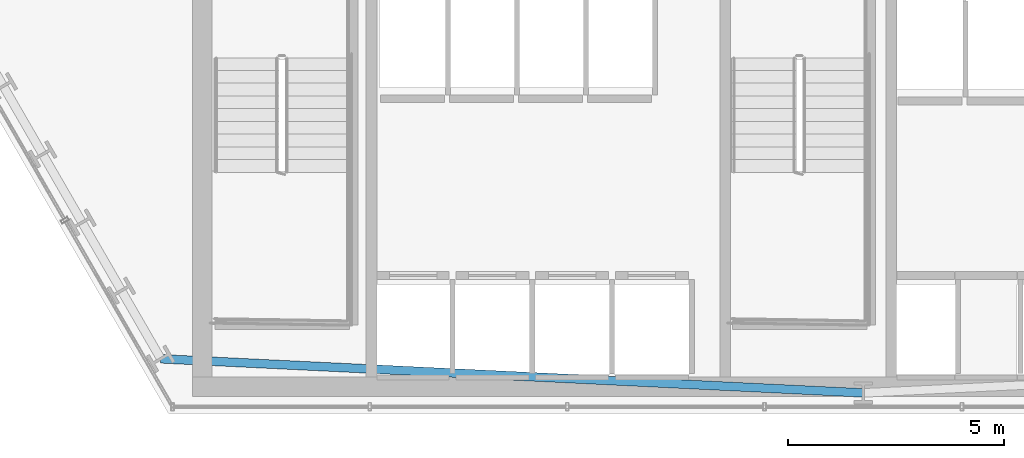
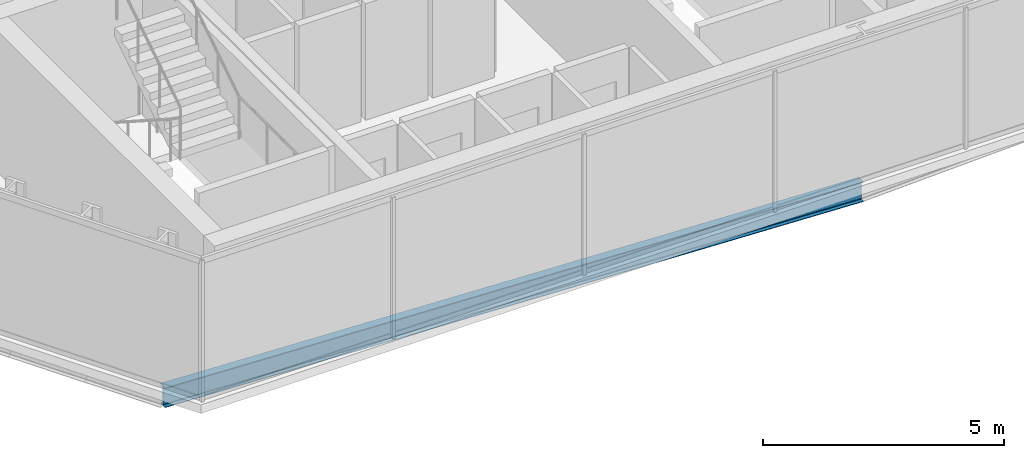
# One storey, part 4 of 32: 1 beam.
"""IFC4 building model written with IfcOpenShell, lengths in metres."""

from ifc_helpers import new_model, si_unit, direction, frame, origin, origin_2d, place, context, subcontext, project, spatial, i_section, extrude, material, material_profile, profile_set, type_object, element, save


model = new_model("IFC4")

# Units and contexts
model_context = context("Model", 3, precision=1e-05, world=origin(), true_north=direction((0.0, 1.0)))
body_context = subcontext(model_context, "Body", "Model", "MODEL_VIEW")
ifc_project = project(units=[si_unit("LENGTHUNIT", "METRE"), si_unit("AREAUNIT", "SQUARE_METRE"), si_unit("VOLUMEUNIT", "CUBIC_METRE"), si_unit("PLANEANGLEUNIT", "RADIAN"), si_unit("MASSUNIT", "GRAM", prefix="KILO")], contexts=[model_context])

# Site, building, storey
site_placement = place(None, origin())
site = spatial("IfcSite", under=ifc_project, at=site_placement, CompositionType="ELEMENT")
building_placement = place(site_placement, origin())
building = spatial("IfcBuilding", under=site, at=building_placement, Name="Ndaravel Arena Tower", CompositionType="ELEMENT")
storey_placement = place(building_placement, frame((0.0, 0.0, 70.199951171875)))
storey = spatial("IfcBuildingStorey", under=building, at=storey_placement, Name="L15", CompositionType="ELEMENT", Elevation=70.199951171875)

# Beam
ifc_material = material(Name="Steel S355", Category="steel")
ifc_material_profile = material_profile(ifc_material, i_section(OverallWidth=0.199951171875, OverallDepth=0.5, WebThickness=0.01025390625, FlangeThickness=0.01611328125, FilletRadius=0.02099609375, at=origin_2d()), Name="IPE 500")
ifc_profile_set = profile_set([ifc_material_profile], Name="Steel S355")
beam_type = type_object("IfcBeamType", Name="BM-SPAN-IPE500", PredefinedType="SPANDREL", material=ifc_profile_set)
beam_placement = place(storey_placement, frame((25.71337890625, 6.2705078125, -0.469970703125), z_axis=(0.99882408685, -0.048481373006, 0.0), x_axis=(0.048481373006, 0.99882408685, 0.0)))
element("IfcBeam", 1, at=beam_placement, inside=storey, type_object=beam_type, Name="L15 Perimeter Spandrel Beam SP-27", PredefinedType="SPANDREL", context=body_context, shape_type="SweptSolid", body=[
    extrude(i_section(OverallWidth=0.199951171875, OverallDepth=0.5, WebThickness=0.01025390625, FlangeThickness=0.01611328125, FilletRadius=0.02099609375, at=origin_2d()), origin(), (0.0, 0.0, 1.0), 16.305908203125),
])

save(model, "model.ifc")
